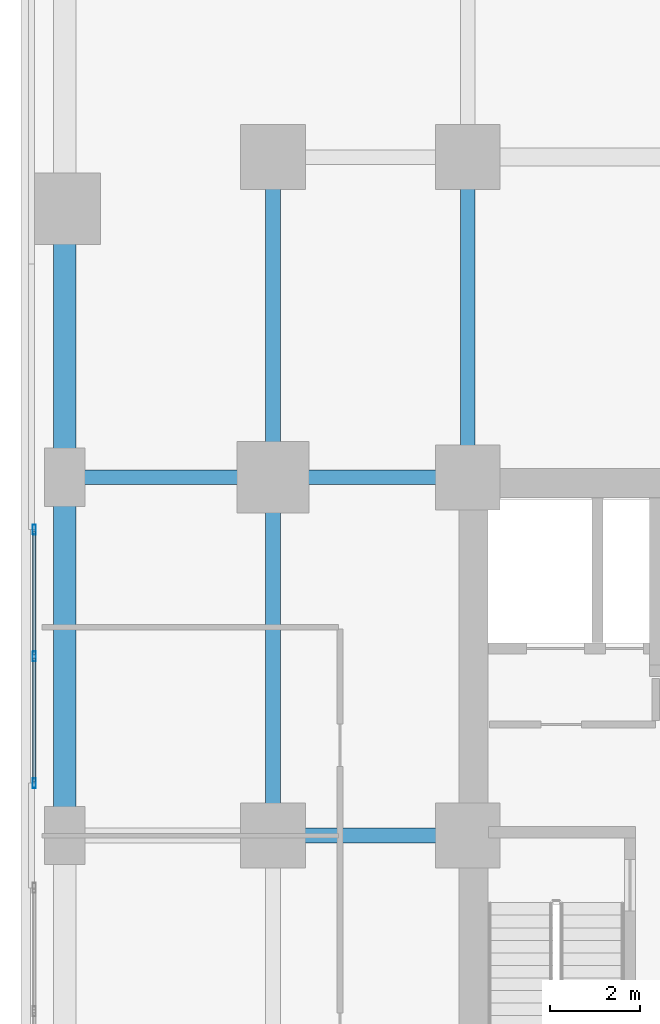
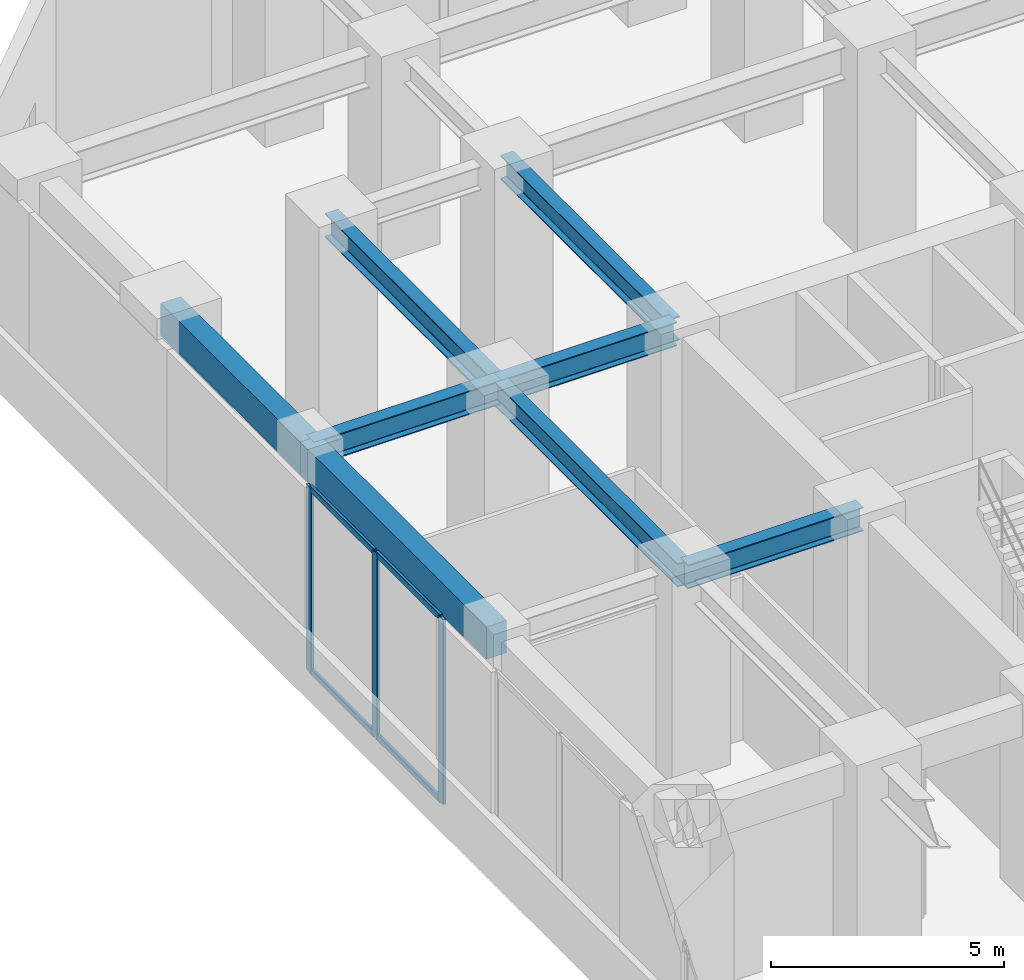
# One storey, part 15 of 33: 8 beams, 7 members, 1 element without a shape of its own.
"""IFC4 building model written with IfcOpenShell, lengths in metres."""

from ifc_helpers import new_model, si_unit, direction, frame, origin, origin_2d, place, context, subcontext, project, spatial, rectangle, hollow_rectangle, i_section, extrude, source, transform, mapped, material, material_profile, profile_set, type_object, element, aggregate, save


model = new_model("IFC4")

# Units and contexts
model_context = context("Model", 3, precision=1e-05, world=origin(), true_north=direction((0.0, 1.0)))
body_context = subcontext(model_context, "Body", "Model", "MODEL_VIEW")
ifc_project = project(units=[si_unit("LENGTHUNIT", "METRE"), si_unit("AREAUNIT", "SQUARE_METRE"), si_unit("VOLUMEUNIT", "CUBIC_METRE"), si_unit("PLANEANGLEUNIT", "RADIAN"), si_unit("MASSUNIT", "GRAM", prefix="KILO")], contexts=[model_context])

# Site, building, storey
site_placement = place(None, origin())
site = spatial("IfcSite", under=ifc_project, at=site_placement, CompositionType="ELEMENT")
building_placement = place(site_placement, origin())
building = spatial("IfcBuilding", under=site, at=building_placement, Name="Torre Montelarca", CompositionType="ELEMENT")
storey_placement = place(building_placement, frame((0.0, 0.0, 12.0)))
storey = spatial("IfcBuildingStorey", under=building, at=storey_placement, Name="L03", CompositionType="ELEMENT", Elevation=12.0)

# Beams
ifc_material_1 = material(Name="Concrete C55/67", Category="concrete")
ifc_material_profile_1 = material_profile(ifc_material_1, rectangle(XDim=0.5, YDim=0.85009765625, at=origin_2d()), Name="RCB500X850", Category="concrete")
ifc_profile_set_1 = profile_set([ifc_material_profile_1], Name="Concrete C55/67")
beam_type_1 = type_object("IfcBeamType", Name="BM-SP-RC850-EXT", PredefinedType="SPANDREL", material=ifc_profile_set_1)
shared_shape_1 = source(origin(), body_context, "Body", "SweptSolid", [
    extrude(rectangle(XDim=0.5, YDim=0.85009765625, at=origin_2d()), origin(), (0.0, 0.0, 1.0), 6.0),
])
beam_1_placement = place(storey_placement, frame((0.0, 40.0, 4.715087890625), z_axis=(0.0, 1.0, 0.0), x_axis=(-1.0, 0.0, 0.0)))
element("IfcBeam", 1, at=beam_1_placement, inside=storey, type_object=beam_type_1, Name="L03 Grid Girder Y 40.0-46.0 at X=0.0", PredefinedType="SPANDREL", context=body_context, shape_type="MappedRepresentation", body=[
    mapped(shared_shape_1, transform((0.0, 0.0, 0.0), scale=1.0)),
])
ifc_material_2 = material(Name="Steel ASTM A992 Grade 50", Category="steel")
ifc_material_profile_2 = material_profile(ifc_material_2, i_section(OverallWidth=0.326904296875, OverallDepth=0.6220703125, WebThickness=0.015380859375, FlangeThickness=0.0244140625, FilletRadius=0.014892578125, at=origin_2d()), Name="W610X195", Category="steel")
ifc_profile_set_2 = profile_set([ifc_material_profile_2], Name="Steel ASTM A992 Grade 50")
beam_type_2 = type_object("IfcBeamType", Name="BM-G-W610H", PredefinedType="BEAM", material=ifc_profile_set_2)
shared_shape_2 = source(origin(), body_context, "Body", "SweptSolid", [
    extrude(i_section(OverallWidth=0.326904296875, OverallDepth=0.6220703125, WebThickness=0.015380859375, FlangeThickness=0.0244140625, FilletRadius=0.014892578125, at=origin_2d()), origin(), (0.0, 0.0, 1.0), 4.35009765625),
])
for number, where, z_axis, x_axis, name in (
    (2, (4.64990234375, 32.0, 4.8291015625), (1.0, 0.0, 0.0), (0.0, 1.0, 0.0), "L03 Grid Girder X 4.7-9.0 at Y=32.0"),
    (3, (4.64990234375, 40.0, 4.8291015625), (1.0, 0.0, 0.0), (0.0, 1.0, 0.0), "L03 Grid Girder X 4.7-9.0 at Y=40.0"),
):
    element("IfcBeam", number, at=place(storey_placement, frame(where, z_axis=z_axis, x_axis=x_axis)), inside=storey, type_object=beam_type_2, Name=name, PredefinedType="BEAM", context=body_context, shape_type="MappedRepresentation", body=[
        mapped(shared_shape_2, transform((0.0, 0.0, 0.0), scale=1.0)),
    ])
shared_shape_3 = source(origin(), body_context, "Body", "SweptSolid", [
    extrude(i_section(OverallWidth=0.326904296875, OverallDepth=0.6220703125, WebThickness=0.015380859375, FlangeThickness=0.0244140625, FilletRadius=0.014892578125, at=origin_2d()), origin(), (0.0, 0.0, 1.0), 4.64990234375),
])
beam_2_placement = place(storey_placement, frame((0.0, 40.0, 4.8291015625), z_axis=(1.0, 0.0, 0.0), x_axis=(0.0, 1.0, 0.0)))
element("IfcBeam", 4, at=beam_2_placement, inside=storey, type_object=beam_type_2, Name="L03 Grid Girder X 0.0-4.7 at Y=40.0", PredefinedType="BEAM", context=body_context, shape_type="MappedRepresentation", body=[
    mapped(shared_shape_3, transform((0.0, 0.0, 0.0), scale=1.0)),
])
shared_shape_4 = source(origin(), body_context, "Body", "SweptSolid", [
    extrude(rectangle(XDim=0.5, YDim=0.85009765625, at=origin_2d()), origin(), (0.0, 0.0, 1.0), 8.0),
])
beam_3_placement = place(storey_placement, frame((0.0, 32.0, 4.715087890625), z_axis=(0.0, 1.0, 0.0), x_axis=(-1.0, 0.0, 0.0)))
element("IfcBeam", 5, at=beam_3_placement, inside=storey, type_object=beam_type_1, Name="L03 Grid Girder Y 32.0-40.0 at X=0.0", PredefinedType="SPANDREL", context=body_context, shape_type="MappedRepresentation", body=[
    mapped(shared_shape_4, transform((0.0, 0.0, 0.0), scale=1.0)),
])
shared_shape_5 = source(origin(), body_context, "Body", "SweptSolid", [
    extrude(i_section(OverallWidth=0.326904296875, OverallDepth=0.6220703125, WebThickness=0.015380859375, FlangeThickness=0.0244140625, FilletRadius=0.014892578125, at=origin_2d()), origin(), (0.0, 0.0, 1.0), 8.0),
])
beam_4_placement = place(storey_placement, frame((4.64990234375, 32.0, 4.8291015625), z_axis=(0.0, 1.0, 0.0), x_axis=(-1.0, 0.0, 0.0)))
element("IfcBeam", 6, at=beam_4_placement, inside=storey, type_object=beam_type_2, Name="L03 Grid Girder Y 32.0-40.0 at X=4.7", PredefinedType="BEAM", context=body_context, shape_type="MappedRepresentation", body=[
    mapped(shared_shape_5, transform((0.0, 0.0, 0.0), scale=1.0)),
])
shared_shape_6 = source(origin(), body_context, "Body", "SweptSolid", [
    extrude(i_section(OverallWidth=0.326904296875, OverallDepth=0.6220703125, WebThickness=0.015380859375, FlangeThickness=0.0244140625, FilletRadius=0.014892578125, at=origin_2d()), origin(), (0.0, 0.0, 1.0), 7.14990234375),
])
for number, where, z_axis, x_axis, name in (
    (7, (4.64990234375, 40.0, 4.8291015625), (0.0, 1.0, 0.0), (-1.0, 0.0, 0.0), "L03 Grid Girder Y 40.0-47.1 at X=4.7"),
    (8, (9.0, 40.0, 4.8291015625), (0.0, 1.0, 0.0), (-1.0, 0.0, 0.0), "L03 Grid Girder Y 40.0-47.1 at X=9.0"),
):
    element("IfcBeam", number, at=place(storey_placement, frame(where, z_axis=z_axis, x_axis=x_axis)), inside=storey, type_object=beam_type_2, Name=name, PredefinedType="BEAM", context=body_context, shape_type="MappedRepresentation", body=[
        mapped(shared_shape_6, transform((0.0, 0.0, 0.0), scale=1.0)),
    ])

# Curtain wall, members
ifc_material_3 = material(Name="Insulated low-E laminated glass", Category="glass")
curtain_wall_type = type_object("IfcCurtainWallType", Name="CW-SYS-POD2", PredefinedType="USERDEFINED", material=ifc_material_3)
curtain_wall_placement = place(storey_placement, origin())
curtain_wall = element("IfcCurtainWall", 9, at=curtain_wall_placement, inside=storey, type_object=curtain_wall_type, Name="L03 Curtain Wall Run CW-T3-L03-E10-B1", ObjectType="UNITISED GLAZING", PredefinedType="USERDEFINED")
ifc_material_4 = material(Name="Anodised aluminium AA 6063-T6", Category="aluminium")
ifc_material_profile_3 = material_profile(ifc_material_4, hollow_rectangle(XDim=0.074951171875, YDim=0.159912109375, WallThickness=0.0048828125, InnerFilletRadius=0.0048828125, OuterFilletRadius=0.010009765625, at=origin_2d()), Name="ALU75X160X5", Category="aluminium")
ifc_profile_set_3 = profile_set([ifc_material_profile_3], Name="Anodised aluminium AA 6063-T6")
member_type_1 = type_object("IfcMemberType", Name="CWT-ALU160", PredefinedType="USERDEFINED", material=ifc_profile_set_3)
shared_shape_7 = source(origin(), body_context, "Body", "SweptSolid", [
    extrude(hollow_rectangle(XDim=0.074951171875, YDim=0.159912109375, WallThickness=0.0048828125, InnerFilletRadius=0.0048828125, OuterFilletRadius=0.010009765625, at=origin_2d()), origin(), (0.0, 0.0, 1.0), 2.75732421875),
])
member_1_placement = place(storey_placement, frame((-0.679931640625, 38.794921875, 0.03759765625), z_axis=(0.0, -1.0, 0.0), x_axis=(1.0, 0.0, 0.0)))
member_1 = element("IfcMember", 10, at=member_1_placement, type_object=member_type_1, Name="CW transom 1.1", ObjectType="TRANSOM", PredefinedType="USERDEFINED", context=body_context, shape_type="MappedRepresentation", body=[
    mapped(shared_shape_7, transform((0.0, 0.0, 0.0), scale=1.0)),
])
member_2_placement = place(storey_placement, frame((-0.679931640625, 38.794921875, 4.8125), z_axis=(0.0, -1.0, 0.0), x_axis=(1.0, 0.0, 0.0)))
member_2 = element("IfcMember", 11, at=member_2_placement, type_object=member_type_1, Name="CW transom 1.2", ObjectType="TRANSOM", PredefinedType="USERDEFINED", context=body_context, shape_type="MappedRepresentation", body=[
    mapped(shared_shape_7, transform((0.0, 0.0, 0.0), scale=1.0)),
])
member_3_placement = place(storey_placement, frame((-0.679931640625, 35.96240234375, 0.03759765625), z_axis=(0.0, -1.0, 0.0), x_axis=(1.0, 0.0, 0.0)))
member_3 = element("IfcMember", 12, at=member_3_placement, type_object=member_type_1, Name="CW transom 2.1", ObjectType="TRANSOM", PredefinedType="USERDEFINED", context=body_context, shape_type="MappedRepresentation", body=[
    mapped(shared_shape_7, transform((0.0, 0.0, 0.0), scale=1.0)),
])
member_4_placement = place(storey_placement, frame((-0.679931640625, 35.96240234375, 4.8125), z_axis=(0.0, -1.0, 0.0), x_axis=(1.0, 0.0, 0.0)))
member_4 = element("IfcMember", 13, at=member_4_placement, type_object=member_type_1, Name="CW transom 2.2", ObjectType="TRANSOM", PredefinedType="USERDEFINED", context=body_context, shape_type="MappedRepresentation", body=[
    mapped(shared_shape_7, transform((0.0, 0.0, 0.0), scale=1.0)),
])
ifc_material_profile_4 = material_profile(ifc_material_4, hollow_rectangle(XDim=0.074951171875, YDim=0.219970703125, WallThickness=0.0048828125, InnerFilletRadius=0.0048828125, OuterFilletRadius=0.010009765625, at=origin_2d()), Name="ALU75X220X5", Category="aluminium")
ifc_profile_set_4 = profile_set([ifc_material_profile_4], Name="Anodised aluminium AA 6063-T6")
member_type_2 = type_object("IfcMemberType", Name="CWM-ALU220", PredefinedType="MULLION", material=ifc_profile_set_4)
shared_shape_8 = source(origin(), body_context, "Body", "SweptSolid", [
    extrude(hollow_rectangle(XDim=0.074951171875, YDim=0.219970703125, WallThickness=0.0048828125, InnerFilletRadius=0.0048828125, OuterFilletRadius=0.010009765625, at=origin_2d()), origin(), (0.0, 0.0, 1.0), 4.85009765625),
])
member_5_placement = place(storey_placement, frame((-0.679931640625, 38.83251953125, 0.0), z_axis=(0.0, 0.0, 1.0), x_axis=(1.0, 0.0, 0.0)))
member_5 = element("IfcMember", 14, at=member_5_placement, type_object=member_type_2, Name="CW mullion 1", PredefinedType="MULLION", context=body_context, shape_type="MappedRepresentation", body=[
    mapped(shared_shape_8, transform((0.0, 0.0, 0.0), scale=1.0)),
])
member_6_placement = place(storey_placement, frame((-0.679931640625, 36.0, 0.0), z_axis=(0.0, 0.0, 1.0), x_axis=(1.0, 0.0, 0.0)))
member_6 = element("IfcMember", 15, at=member_6_placement, type_object=member_type_2, Name="CW mullion 2", PredefinedType="MULLION", context=body_context, shape_type="MappedRepresentation", body=[
    mapped(shared_shape_8, transform((0.0, 0.0, 0.0), scale=1.0)),
])
member_7_placement = place(storey_placement, frame((-0.679931640625, 33.16748046875, 0.0), z_axis=(0.0, 0.0, 1.0), x_axis=(1.0, 0.0, 0.0)))
member_7 = element("IfcMember", 16, at=member_7_placement, type_object=member_type_2, Name="CW mullion 3", PredefinedType="MULLION", context=body_context, shape_type="MappedRepresentation", body=[
    mapped(shared_shape_8, transform((0.0, 0.0, 0.0), scale=1.0)),
])
aggregate(curtain_wall, [member_5, member_6, member_7, member_1, member_2, member_3, member_4])

save(model, "model.ifc")
